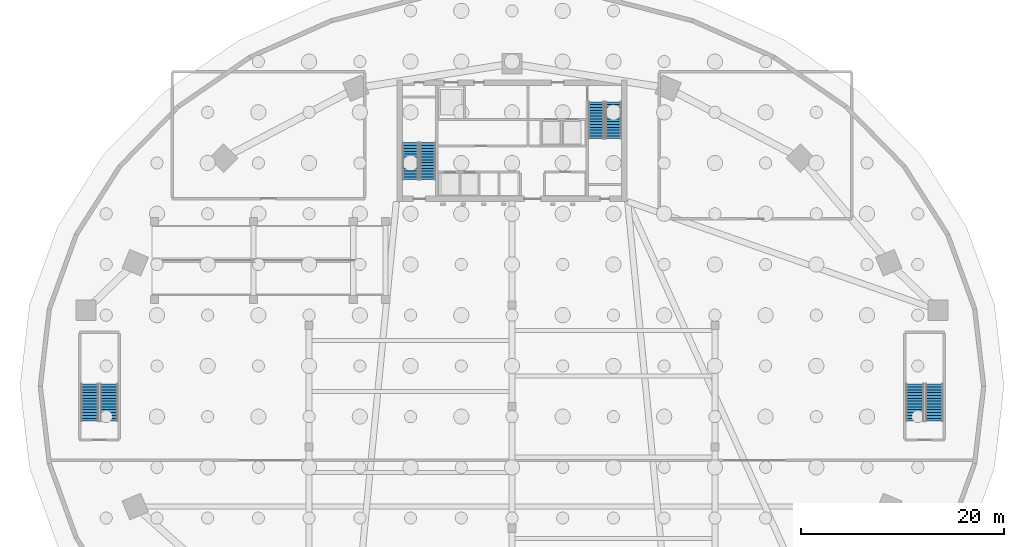
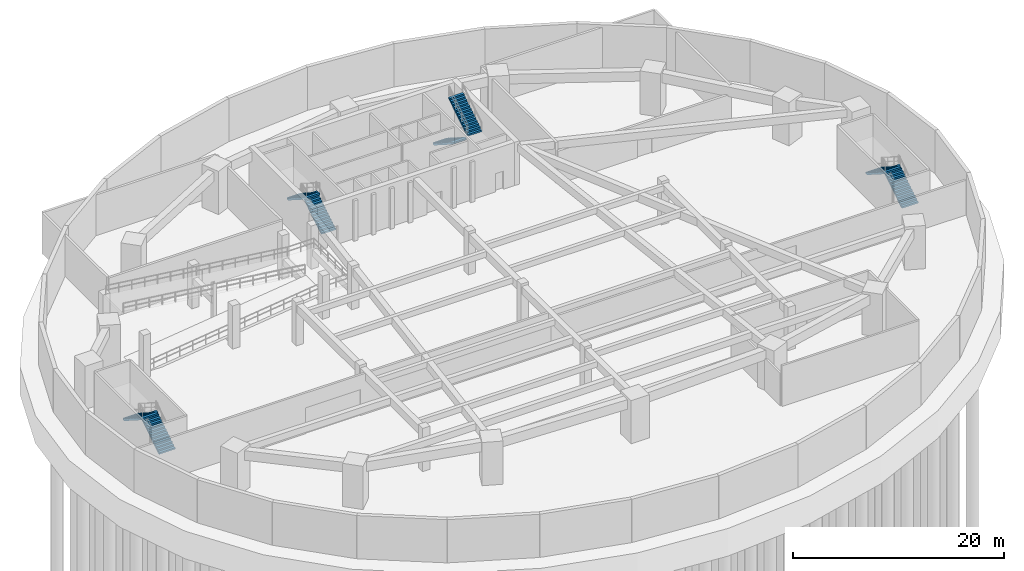
# One storey, part 8 of 11: 8 stair flights, 4 elements without a shape of their own.
"""IFC4 building model written with IfcOpenShell, lengths in metres."""

from ifc_helpers import new_model, si_unit, direction, frame, origin, place, context, subcontext, project, spatial, polyline, outline, extrude, material, type_object, element, aggregate, save


model = new_model("IFC4")

# Units and contexts
model_context = context("Model", 3, precision=1e-05, world=origin(), true_north=direction((0.0, 1.0)))
body_context = subcontext(model_context, "Body", "Model", "MODEL_VIEW")
ifc_project = project(units=[si_unit("LENGTHUNIT", "METRE"), si_unit("AREAUNIT", "SQUARE_METRE"), si_unit("VOLUMEUNIT", "CUBIC_METRE"), si_unit("PLANEANGLEUNIT", "RADIAN"), si_unit("MASSUNIT", "GRAM", prefix="KILO")], contexts=[model_context])

# Site, building, storey
site_placement = place(None, origin())
site = spatial("IfcSite", under=ifc_project, at=site_placement, CompositionType="ELEMENT")
building_placement = place(site_placement, origin())
building = spatial("IfcBuilding", under=site, at=building_placement, Name="Breltana Convention Tower", CompositionType="ELEMENT")
storey_placement = place(building_placement, frame((0.0, 0.0, -10.0)))
storey = spatial("IfcBuildingStorey", under=building, at=storey_placement, Name="B02", CompositionType="ELEMENT", Elevation=-10.0)

# Stair, stair flights
ifc_material = material(Name="Concrete C40/50", Category="concrete")
stair_type_1 = type_object("IfcStairType", Name="ST-DOG-1560-R179", PredefinedType="HALF_TURN_STAIR", material=ifc_material)
stair_1_placement = place(storey_placement, origin())
stair_1 = element("IfcStair", 1, at=stair_1_placement, inside=storey, type_object=stair_type_1, Name="B02 Protected Core Exit Stair ST-1", PredefinedType="HALF_TURN_STAIR")
stair_flight_type_1 = type_object("IfcStairFlightType", Name="STF-DOG-1560-N14-R179", PredefinedType="STRAIGHT", material=ifc_material)
stair_flight_1_placement = place(storey_placement, frame((39.68994140625, 62.360107421875, 0.0), z_axis=(0.0, 0.0, 1.0), x_axis=(0.0, 1.0, 0.0)))
stair_flight_1 = element("IfcStairFlight", 2, at=stair_flight_1_placement, type_object=stair_flight_type_1, Name="ST-1 flight 1", NumberOfRisers=14, NumberOfTreads=13, PredefinedType="STRAIGHT", RiserHeight=0.178571429, TreadLength=0.28, context=body_context, shape_type="SweptSolid", body=[
    extrude(outline(polyline([(0.0, 0.0), (0.0, 0.178466796875), (0.280029296875, 0.178466796875), (0.280029296875, 0.357177734375), (0.56005859375, 0.357177734375), (0.56005859375, 0.53564453125), (0.840087890625, 0.53564453125), (0.840087890625, 0.71435546875), (1.1201171875, 0.71435546875), (1.1201171875, 0.892822265625), (1.39990234375, 0.892822265625), (1.39990234375, 1.071533203125), (1.679931640625, 1.071533203125), (1.679931640625, 1.25), (1.9599609375, 1.25), (1.9599609375, 1.428466796875), (2.239990234375, 1.428466796875), (2.239990234375, 1.607177734375), (2.52001953125, 1.607177734375), (2.52001953125, 1.78564453125), (2.800048828125, 1.78564453125), (2.800048828125, 1.96435546875), (3.080078125, 1.96435546875), (3.080078125, 2.142822265625), (3.360107421875, 2.142822265625), (3.360107421875, 2.321533203125), (3.639892578125, 2.321533203125), (3.639892578125, 2.5), (3.639892578125, 2.1435546875), (0.27880859375, 0.0), (0.0, 0.0)])), frame((0.0, 0.780029296875, 0.0), z_axis=(0.0, -1.0, 0.0), x_axis=(1.0, 0.0, 0.0)), (0.0, 0.0, 1.0), 1.56005859375),
])
stair_flight_2_placement = place(storey_placement, frame((37.97998046875, 66.0, 2.5), z_axis=(0.0, 0.0, 1.0), x_axis=(0.0, -1.0, 0.0)))
stair_flight_2 = element("IfcStairFlight", 3, at=stair_flight_2_placement, type_object=stair_flight_type_1, Name="ST-1 flight 2", NumberOfRisers=14, NumberOfTreads=13, PredefinedType="STRAIGHT", RiserHeight=0.178571429, TreadLength=0.28, context=body_context, shape_type="SweptSolid", body=[
    extrude(outline(polyline([(0.0, 0.0), (0.0, 0.178466796875), (0.280029296875, 0.178466796875), (0.280029296875, 0.357177734375), (0.56005859375, 0.357177734375), (0.56005859375, 0.53564453125), (0.840087890625, 0.53564453125), (0.840087890625, 0.71435546875), (1.1201171875, 0.71435546875), (1.1201171875, 0.892822265625), (1.39990234375, 0.892822265625), (1.39990234375, 1.071533203125), (1.679931640625, 1.071533203125), (1.679931640625, 1.25), (1.9599609375, 1.25), (1.9599609375, 1.428466796875), (2.239990234375, 1.428466796875), (2.239990234375, 1.607177734375), (2.52001953125, 1.607177734375), (2.52001953125, 1.78564453125), (2.800048828125, 1.78564453125), (2.800048828125, 1.96435546875), (3.080078125, 1.96435546875), (3.080078125, 2.142822265625), (3.360107421875, 2.142822265625), (3.360107421875, 2.321533203125), (3.639892578125, 2.321533203125), (3.639892578125, 2.5), (3.639892578125, 2.1435546875), (0.27880859375, 0.0), (0.0, 0.0)])), frame((0.0, 0.780029296875, 0.0), z_axis=(0.0, -1.0, 0.0), x_axis=(1.0, 0.0, 0.0)), (0.0, 0.0, 1.0), 1.56005859375),
])
aggregate(stair_1, [stair_flight_1, stair_flight_2])

stair_2_placement = place(storey_placement, origin())
stair_2 = element("IfcStair", 4, at=stair_2_placement, inside=storey, type_object=stair_type_1, Name="B02 Protected Core Exit Stair ST-2", PredefinedType="HALF_TURN_STAIR")
stair_flight_3_placement = place(storey_placement, frame((56.31005859375, 70.0400390625, 0.0), z_axis=(0.0, 0.0, 1.0), x_axis=(0.0, -1.0, 0.0)))
stair_flight_3 = element("IfcStairFlight", 5, at=stair_flight_3_placement, type_object=stair_flight_type_1, Name="ST-2 flight 1", NumberOfRisers=14, NumberOfTreads=13, PredefinedType="STRAIGHT", RiserHeight=0.178571429, TreadLength=0.28, context=body_context, shape_type="SweptSolid", body=[
    extrude(outline(polyline([(0.0, 0.0), (0.0, 0.178466796875), (0.280029296875, 0.178466796875), (0.280029296875, 0.357177734375), (0.56005859375, 0.357177734375), (0.56005859375, 0.53564453125), (0.840087890625, 0.53564453125), (0.840087890625, 0.71435546875), (1.1201171875, 0.71435546875), (1.1201171875, 0.892822265625), (1.39990234375, 0.892822265625), (1.39990234375, 1.071533203125), (1.679931640625, 1.071533203125), (1.679931640625, 1.25), (1.9599609375, 1.25), (1.9599609375, 1.428466796875), (2.239990234375, 1.428466796875), (2.239990234375, 1.607177734375), (2.52001953125, 1.607177734375), (2.52001953125, 1.78564453125), (2.800048828125, 1.78564453125), (2.800048828125, 1.96435546875), (3.080078125, 1.96435546875), (3.080078125, 2.142822265625), (3.360107421875, 2.142822265625), (3.360107421875, 2.321533203125), (3.639892578125, 2.321533203125), (3.639892578125, 2.5), (3.639892578125, 2.1435546875), (0.27880859375, 0.0), (0.0, 0.0)])), frame((0.0, 0.780029296875, 0.0), z_axis=(0.0, -1.0, 0.0), x_axis=(1.0, 0.0, 0.0)), (0.0, 0.0, 1.0), 1.56005859375),
])
stair_flight_4_placement = place(storey_placement, frame((58.02001953125, 66.39990234375, 2.5), z_axis=(0.0, 0.0, 1.0), x_axis=(0.0, 1.0, 0.0)))
stair_flight_4 = element("IfcStairFlight", 6, at=stair_flight_4_placement, type_object=stair_flight_type_1, Name="ST-2 flight 2", NumberOfRisers=14, NumberOfTreads=13, PredefinedType="STRAIGHT", RiserHeight=0.178571429, TreadLength=0.28, context=body_context, shape_type="SweptSolid", body=[
    extrude(outline(polyline([(0.0, 0.0), (0.0, 0.178466796875), (0.280029296875, 0.178466796875), (0.280029296875, 0.357177734375), (0.56005859375, 0.357177734375), (0.56005859375, 0.53564453125), (0.840087890625, 0.53564453125), (0.840087890625, 0.71435546875), (1.1201171875, 0.71435546875), (1.1201171875, 0.892822265625), (1.39990234375, 0.892822265625), (1.39990234375, 1.071533203125), (1.679931640625, 1.071533203125), (1.679931640625, 1.25), (1.9599609375, 1.25), (1.9599609375, 1.428466796875), (2.239990234375, 1.428466796875), (2.239990234375, 1.607177734375), (2.52001953125, 1.607177734375), (2.52001953125, 1.78564453125), (2.800048828125, 1.78564453125), (2.800048828125, 1.96435546875), (3.080078125, 1.96435546875), (3.080078125, 2.142822265625), (3.360107421875, 2.142822265625), (3.360107421875, 2.321533203125), (3.639892578125, 2.321533203125), (3.639892578125, 2.5), (3.639892578125, 2.1435546875), (0.27880859375, 0.0), (0.0, 0.0)])), frame((0.0, 0.780029296875, 0.0), z_axis=(0.0, -1.0, 0.0), x_axis=(1.0, 0.0, 0.0)), (0.0, 0.0, 1.0), 1.56005859375),
])
aggregate(stair_2, [stair_flight_3, stair_flight_4])

stair_type_2 = type_object("IfcStairType", Name="ST-DOG-1760-R179", PredefinedType="HALF_TURN_STAIR", material=ifc_material)
stair_3_placement = place(storey_placement, origin())
stair_3 = element("IfcStair", 7, at=stair_3_placement, inside=storey, type_object=stair_type_2, Name="B02 Protected Podium Exit Stair ST-3", PredefinedType="HALF_TURN_STAIR")
stair_flight_type_2 = type_object("IfcStairFlightType", Name="STF-DOG-1760-N14-R179", PredefinedType="STRAIGHT", material=ifc_material)
stair_flight_5_placement = place(storey_placement, frame((8.2900390625, 38.56005859375, 0.0), z_axis=(0.0, 0.0, 1.0), x_axis=(0.0, 1.0, 0.0)))
stair_flight_5 = element("IfcStairFlight", 8, at=stair_flight_5_placement, type_object=stair_flight_type_2, Name="ST-3 flight 1", NumberOfRisers=14, NumberOfTreads=13, PredefinedType="STRAIGHT", RiserHeight=0.178571429, TreadLength=0.28, context=body_context, shape_type="SweptSolid", body=[
    extrude(outline(polyline([(0.0, 0.0), (0.0, 0.178466796875), (0.280029296875, 0.178466796875), (0.280029296875, 0.357177734375), (0.56005859375, 0.357177734375), (0.56005859375, 0.53564453125), (0.840087890625, 0.53564453125), (0.840087890625, 0.71435546875), (1.1201171875, 0.71435546875), (1.1201171875, 0.892822265625), (1.39990234375, 0.892822265625), (1.39990234375, 1.071533203125), (1.679931640625, 1.071533203125), (1.679931640625, 1.25), (1.9599609375, 1.25), (1.9599609375, 1.428466796875), (2.239990234375, 1.428466796875), (2.239990234375, 1.607177734375), (2.52001953125, 1.607177734375), (2.52001953125, 1.78564453125), (2.800048828125, 1.78564453125), (2.800048828125, 1.96435546875), (3.080078125, 1.96435546875), (3.080078125, 2.142822265625), (3.360107421875, 2.142822265625), (3.360107421875, 2.321533203125), (3.639892578125, 2.321533203125), (3.639892578125, 2.5), (3.639892578125, 2.1435546875), (0.27880859375, 0.0), (0.0, 0.0)])), frame((0.0, 0.8798828125, 0.0), z_axis=(0.0, -1.0, 0.0), x_axis=(1.0, 0.0, 0.0)), (0.0, 0.0, 1.0), 1.760009765625),
])
stair_flight_6_placement = place(storey_placement, frame((6.3798828125, 42.199951171875, 2.5), z_axis=(0.0, 0.0, 1.0), x_axis=(0.0, -1.0, 0.0)))
stair_flight_6 = element("IfcStairFlight", 9, at=stair_flight_6_placement, type_object=stair_flight_type_2, Name="ST-3 flight 2", NumberOfRisers=14, NumberOfTreads=13, PredefinedType="STRAIGHT", RiserHeight=0.178571429, TreadLength=0.28, context=body_context, shape_type="SweptSolid", body=[
    extrude(outline(polyline([(0.0, 0.0), (0.0, 0.178466796875), (0.280029296875, 0.178466796875), (0.280029296875, 0.357177734375), (0.56005859375, 0.357177734375), (0.56005859375, 0.53564453125), (0.840087890625, 0.53564453125), (0.840087890625, 0.71435546875), (1.1201171875, 0.71435546875), (1.1201171875, 0.892822265625), (1.39990234375, 0.892822265625), (1.39990234375, 1.071533203125), (1.679931640625, 1.071533203125), (1.679931640625, 1.25), (1.9599609375, 1.25), (1.9599609375, 1.428466796875), (2.239990234375, 1.428466796875), (2.239990234375, 1.607177734375), (2.52001953125, 1.607177734375), (2.52001953125, 1.78564453125), (2.800048828125, 1.78564453125), (2.800048828125, 1.96435546875), (3.080078125, 1.96435546875), (3.080078125, 2.142822265625), (3.360107421875, 2.142822265625), (3.360107421875, 2.321533203125), (3.639892578125, 2.321533203125), (3.639892578125, 2.5), (3.639892578125, 2.1435546875), (0.27880859375, 0.0), (0.0, 0.0)])), frame((0.0, 0.8798828125, 0.0), z_axis=(0.0, -1.0, 0.0), x_axis=(1.0, 0.0, 0.0)), (0.0, 0.0, 1.0), 1.760009765625),
])
aggregate(stair_3, [stair_flight_5, stair_flight_6])

stair_4_placement = place(storey_placement, origin())
stair_4 = element("IfcStair", 10, at=stair_4_placement, inside=storey, type_object=stair_type_2, Name="B02 Protected Podium Exit Stair ST-4", PredefinedType="HALF_TURN_STAIR")
stair_flight_7_placement = place(storey_placement, frame((89.6201171875, 38.56005859375, 0.0), z_axis=(0.0, 0.0, 1.0), x_axis=(0.0, 1.0, 0.0)))
stair_flight_7 = element("IfcStairFlight", 11, at=stair_flight_7_placement, type_object=stair_flight_type_2, Name="ST-4 flight 1", NumberOfRisers=14, NumberOfTreads=13, PredefinedType="STRAIGHT", RiserHeight=0.178571429, TreadLength=0.28, context=body_context, shape_type="SweptSolid", body=[
    extrude(outline(polyline([(0.0, 0.0), (0.0, 0.178466796875), (0.280029296875, 0.178466796875), (0.280029296875, 0.357177734375), (0.56005859375, 0.357177734375), (0.56005859375, 0.53564453125), (0.840087890625, 0.53564453125), (0.840087890625, 0.71435546875), (1.1201171875, 0.71435546875), (1.1201171875, 0.892822265625), (1.39990234375, 0.892822265625), (1.39990234375, 1.071533203125), (1.679931640625, 1.071533203125), (1.679931640625, 1.25), (1.9599609375, 1.25), (1.9599609375, 1.428466796875), (2.239990234375, 1.428466796875), (2.239990234375, 1.607177734375), (2.52001953125, 1.607177734375), (2.52001953125, 1.78564453125), (2.800048828125, 1.78564453125), (2.800048828125, 1.96435546875), (3.080078125, 1.96435546875), (3.080078125, 2.142822265625), (3.360107421875, 2.142822265625), (3.360107421875, 2.321533203125), (3.639892578125, 2.321533203125), (3.639892578125, 2.5), (3.639892578125, 2.1435546875), (0.27880859375, 0.0), (0.0, 0.0)])), frame((0.0, 0.8798828125, 0.0), z_axis=(0.0, -1.0, 0.0), x_axis=(1.0, 0.0, 0.0)), (0.0, 0.0, 1.0), 1.760009765625),
])
stair_flight_8_placement = place(storey_placement, frame((87.7099609375, 42.199951171875, 2.5), z_axis=(0.0, 0.0, 1.0), x_axis=(0.0, -1.0, 0.0)))
stair_flight_8 = element("IfcStairFlight", 12, at=stair_flight_8_placement, type_object=stair_flight_type_2, Name="ST-4 flight 2", NumberOfRisers=14, NumberOfTreads=13, PredefinedType="STRAIGHT", RiserHeight=0.178571429, TreadLength=0.28, context=body_context, shape_type="SweptSolid", body=[
    extrude(outline(polyline([(0.0, 0.0), (0.0, 0.178466796875), (0.280029296875, 0.178466796875), (0.280029296875, 0.357177734375), (0.56005859375, 0.357177734375), (0.56005859375, 0.53564453125), (0.840087890625, 0.53564453125), (0.840087890625, 0.71435546875), (1.1201171875, 0.71435546875), (1.1201171875, 0.892822265625), (1.39990234375, 0.892822265625), (1.39990234375, 1.071533203125), (1.679931640625, 1.071533203125), (1.679931640625, 1.25), (1.9599609375, 1.25), (1.9599609375, 1.428466796875), (2.239990234375, 1.428466796875), (2.239990234375, 1.607177734375), (2.52001953125, 1.607177734375), (2.52001953125, 1.78564453125), (2.800048828125, 1.78564453125), (2.800048828125, 1.96435546875), (3.080078125, 1.96435546875), (3.080078125, 2.142822265625), (3.360107421875, 2.142822265625), (3.360107421875, 2.321533203125), (3.639892578125, 2.321533203125), (3.639892578125, 2.5), (3.639892578125, 2.1435546875), (0.27880859375, 0.0), (0.0, 0.0)])), frame((0.0, 0.8798828125, 0.0), z_axis=(0.0, -1.0, 0.0), x_axis=(1.0, 0.0, 0.0)), (0.0, 0.0, 1.0), 1.760009765625),
])
aggregate(stair_4, [stair_flight_7, stair_flight_8])

save(model, "model.ifc")
